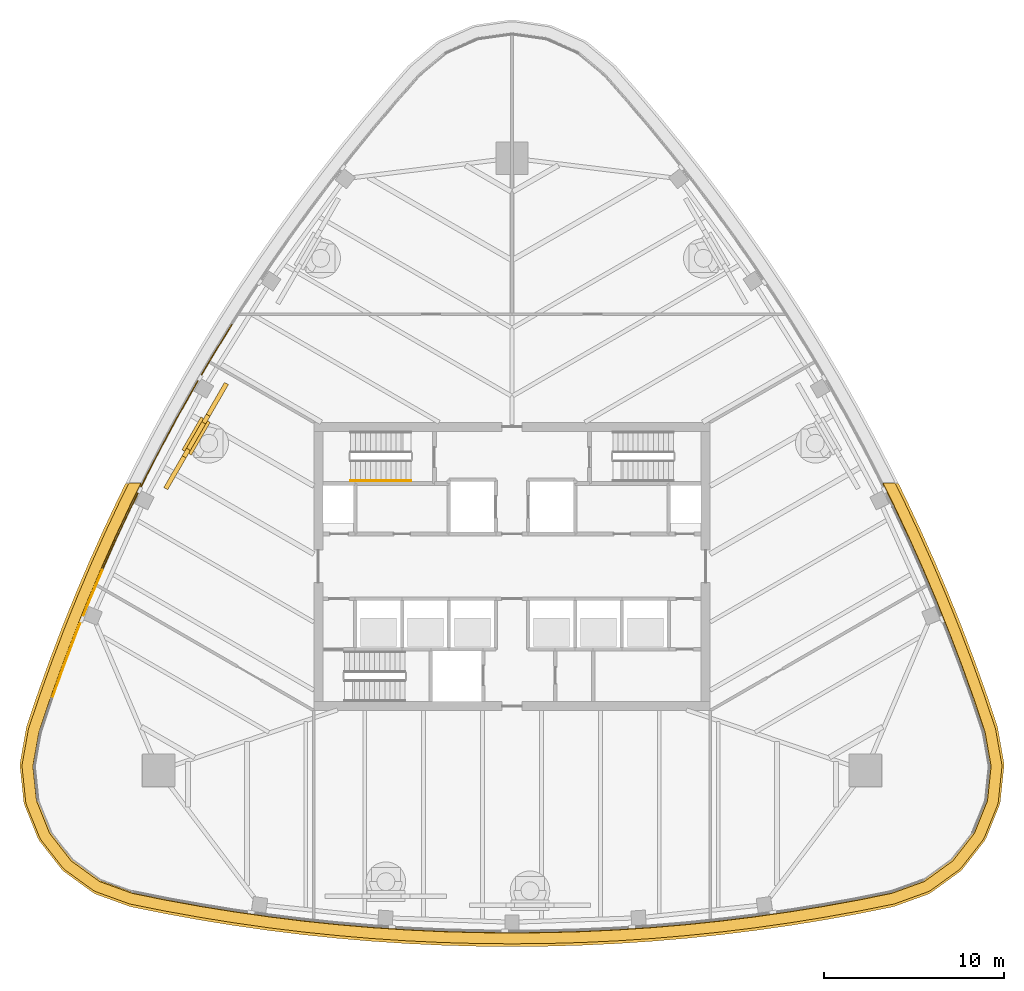
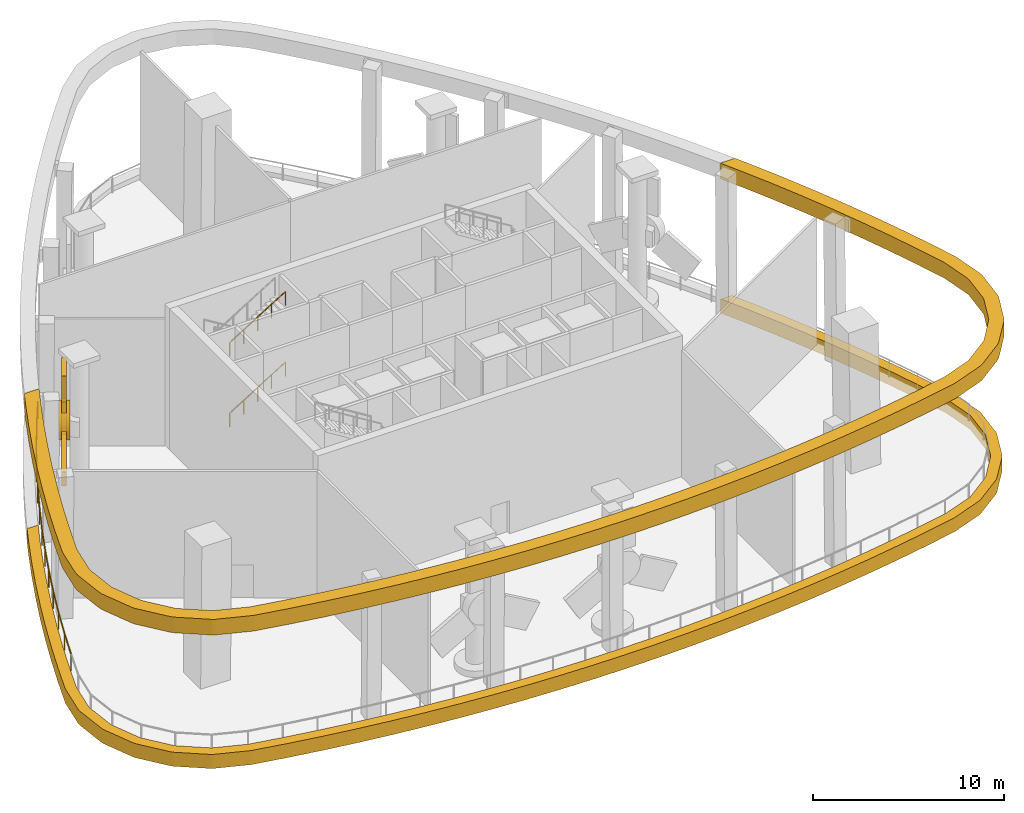
# One storey, part 8 of 12: 6 coverings, 5 railings.
"""IFC4 building model written with IfcOpenShell, lengths in metres."""

from ifc_helpers import new_model, si_unit, direction, frame, origin, origin_2d, place, context, subcontext, project, spatial, polyline, rectangle, circle, outline, extrude, material, layer, layer_set, material_profile, profile_set, type_object, element, save


model = new_model("IFC4")

# Units and contexts
model_context = context("Model", 3, precision=1e-05, world=origin(), true_north=direction((0.0, 1.0)))
body_context = subcontext(model_context, "Body", "Model", "MODEL_VIEW")
ifc_project = project(units=[si_unit("LENGTHUNIT", "METRE"), si_unit("AREAUNIT", "SQUARE_METRE"), si_unit("VOLUMEUNIT", "CUBIC_METRE"), si_unit("PLANEANGLEUNIT", "RADIAN"), si_unit("MASSUNIT", "GRAM", prefix="KILO")], contexts=[model_context])

# Site, building, storey
site_placement = place(None, origin())
site = spatial("IfcSite", under=ifc_project, at=site_placement, CompositionType="ELEMENT")
building_placement = place(site_placement, origin())
building = spatial("IfcBuilding", under=site, at=building_placement, Name="Sierra Prisma Convention Tower", CompositionType="ELEMENT")
storey_placement = place(building_placement, frame((0.0, 0.0, 330.39990234375)))
storey = spatial("IfcBuildingStorey", under=building, at=storey_placement, Name="L75", CompositionType="ELEMENT", Elevation=330.39990234375)

# Railings
ifc_material_1 = material(Name="Stainless steel", Category="steel")
railing_type_1 = type_object("IfcRailingType", Name="Exit stair handrail", PredefinedType="HANDRAIL", material=ifc_material_1)
for number, where, name in (
    (1, (-8.9599609375, 4.75, 2.423095703125), "L75 S3 stair handrail 2"),
    (2, (-8.9599609375, 4.75, 6.923095703125), "L75 S3 stair handrail 4"),
):
    element("IfcRailing", number, at=place(storey_placement, frame(where)), inside=storey, type_object=railing_type_1, Name=name, PredefinedType="HANDRAIL", context=body_context, shape_type="SweptSolid", body=[
        extrude(circle(Radius=0.02392578125, at=origin_2d()), frame((0.0, 0.0, 0.8759765625), z_axis=(0.850606129759, 0.0, 0.525803396734), x_axis=(0.0, 1.0, 0.0)), (0.0, 0.0, 1.0), 3.949951171875),
        extrude(circle(Radius=0.02099609375, at=origin_2d()), origin(), (0.0, 0.0, 1.0), 0.851806640625),
        extrude(circle(Radius=0.02099609375, at=origin_2d()), frame((0.83984375, 0.0, 0.519287109375)), (0.0, 0.0, 1.0), 0.851806640625),
        extrude(circle(Radius=0.02099609375, at=origin_2d()), frame((1.679931640625, 0.0, 1.03857421875)), (0.0, 0.0, 1.0), 0.851806640625),
        extrude(circle(Radius=0.02099609375, at=origin_2d()), frame((2.52001953125, 0.0, 1.5576171875)), (0.0, 0.0, 1.0), 0.851806640625),
        extrude(circle(Radius=0.02099609375, at=origin_2d()), frame((3.35986328125, 0.0, 2.076904296875)), (0.0, 0.0, 1.0), 0.851806640625),
    ])
ifc_material_2 = material(Name="Stainless steel 316 and laminated glass", Category="steel")
railing_type_2 = type_object("IfcRailingType", Name="Open storey guard", PredefinedType="BALUSTRADE", material=ifc_material_2)
railing_1_placement = place(storey_placement, frame((-25.53955078125, -7.369140625, 0.0)))
element("IfcRailing", 3, at=railing_1_placement, inside=storey, type_object=railing_type_2, Name="Perimeter guard L75", PredefinedType="BALUSTRADE", context=body_context, shape_type="SweptSolid", body=[
    extrude(circle(Radius=0.02490234375, at=origin_2d()), frame((0.0, 0.0, 1.0751953125), z_axis=(0.337588414886, 0.941293823487, 0.0), x_axis=(-0.941293823487, 0.337588414886, 0.0)), (0.0, 0.0, 1.0), 1.926513671875),
    extrude(circle(Radius=0.02490234375, at=origin_2d()), frame((0.650390625, 1.8134765625, 1.0751953125), z_axis=(0.355231049555, 0.934778530686, 0.0), x_axis=(-0.934778530686, 0.355231049555, 0.0)), (0.0, 0.0, 1.0), 1.926513671875),
    extrude(circle(Radius=0.02490234375, at=origin_2d()), frame((1.334716796875, 3.6142578125, 1.0751953125), z_axis=(0.372832299933, 0.927898742389, 0.0), x_axis=(-0.927898742389, 0.372832299933, 0.0)), (0.0, 0.0, 1.0), 1.926513671875),
    extrude(circle(Radius=0.02490234375, at=origin_2d()), frame((2.052978515625, 5.40185546875, 1.0751953125), z_axis=(0.390276484242, 0.920697706008, 0.0), x_axis=(-0.920697706008, 0.390276484242, 0.0)), (0.0, 0.0, 1.0), 1.9267578125),
    extrude(circle(Radius=0.02001953125, at=origin_2d()), origin(), (0.0, 0.0, 1.0), 1.050048828125),
    extrude(circle(Radius=0.02001953125, at=origin_2d()), frame((0.650390625, 1.8134765625, 0.0)), (0.0, 0.0, 1.0), 1.050048828125),
    extrude(circle(Radius=0.02001953125, at=origin_2d()), frame((1.334716796875, 3.6142578125, 0.0)), (0.0, 0.0, 1.0), 1.050048828125),
    extrude(circle(Radius=0.02001953125, at=origin_2d()), frame((2.052978515625, 5.40185546875, 0.0)), (0.0, 0.0, 1.0), 1.050048828125),
    extrude(circle(Radius=0.02001953125, at=origin_2d()), frame((2.804931640625, 7.17578125, 0.0)), (0.0, 0.0, 1.0), 1.050048828125),
])
railing_2_placement = place(storey_placement, frame((-22.734619140625, -0.193359375, 0.0)))
element("IfcRailing", 4, at=railing_2_placement, inside=storey, type_object=railing_type_2, Name="Perimeter guard L75", PredefinedType="BALUSTRADE", context=body_context, shape_type="SweptSolid", body=[
    extrude(circle(Radius=0.02490234375, at=origin_2d()), frame((0.0, 0.0, 1.0751953125), z_axis=(0.407654613972, 0.913136197786, 0.0), x_axis=(-0.913136197786, 0.407654613972, 0.0)), (0.0, 0.0, 1.0), 1.926513671875),
    extrude(circle(Radius=0.02490234375, at=origin_2d()), frame((0.785400390625, 1.75927734375, 1.0751953125), z_axis=(0.424667635312, 0.905349324581, 0.0), x_axis=(-0.905349324581, 0.424667635312, 0.0)), (0.0, 0.0, 1.0), 1.926513671875),
    extrude(circle(Radius=0.02490234375, at=origin_2d()), frame((1.603515625, 3.50341796875, 1.0751953125), z_axis=(0.441781321544, 0.897122769711, 0.0), x_axis=(-0.897122769711, 0.441781321544, 0.0)), (0.0, 0.0, 1.0), 1.926513671875),
    extrude(circle(Radius=0.02490234375, at=origin_2d()), frame((2.45458984375, 5.231689453125, 1.0751953125), z_axis=(0.458633235419, 0.888625655363, 0.0), x_axis=(-0.888625655363, 0.458633235419, 0.0)), (0.0, 0.0, 1.0), 1.926513671875),
    extrude(circle(Radius=0.02001953125, at=origin_2d()), origin(), (0.0, 0.0, 1.0), 1.050048828125),
    extrude(circle(Radius=0.02001953125, at=origin_2d()), frame((0.785400390625, 1.75927734375, 0.0)), (0.0, 0.0, 1.0), 1.050048828125),
    extrude(circle(Radius=0.02001953125, at=origin_2d()), frame((1.603515625, 3.50341796875, 0.0)), (0.0, 0.0, 1.0), 1.050048828125),
    extrude(circle(Radius=0.02001953125, at=origin_2d()), frame((2.45458984375, 5.231689453125, 0.0)), (0.0, 0.0, 1.0), 1.050048828125),
    extrude(circle(Radius=0.02001953125, at=origin_2d()), frame((3.338134765625, 6.943603515625, 0.0)), (0.0, 0.0, 1.0), 1.050048828125),
])
railing_3_placement = place(storey_placement, frame((-19.396484375, 6.750244140625, 0.0)))
element("IfcRailing", 5, at=railing_3_placement, inside=storey, type_object=railing_type_2, Name="Perimeter guard L75", PredefinedType="BALUSTRADE", context=body_context, shape_type="SweptSolid", body=[
    extrude(circle(Radius=0.02490234375, at=origin_2d()), frame((0.0, 0.0, 1.0751953125), z_axis=(0.475323541558, 0.879811076789, 0.0), x_axis=(-0.879811076789, 0.475323541558, 0.0)), (0.0, 0.0, 1.0), 1.926513671875),
    extrude(circle(Radius=0.02490234375, at=origin_2d()), frame((0.915771484375, 1.695068359375, 1.0751953125), z_axis=(0.491806697799, 0.870704411382, 0.0), x_axis=(-0.870704411382, 0.491806697799, 0.0)), (0.0, 0.0, 1.0), 1.926513671875),
    extrude(circle(Radius=0.02490234375, at=origin_2d()), frame((1.86328125, 3.37255859375, 1.0751953125), z_axis=(0.508033235774, 0.861337466589, 0.0), x_axis=(-0.861337466589, 0.508033235774, 0.0)), (0.0, 0.0, 1.0), 1.926513671875),
    extrude(circle(Radius=0.02490234375, at=origin_2d()), frame((2.842041015625, 5.031982421875, 1.0751953125), z_axis=(0.524394358105, 0.851475517668, 0.0), x_axis=(-0.851475517668, 0.524394358105, 0.0)), (0.0, 0.0, 1.0), 1.926513671875),
    extrude(circle(Radius=0.02001953125, at=origin_2d()), origin(), (0.0, 0.0, 1.0), 1.050048828125),
    extrude(circle(Radius=0.02001953125, at=origin_2d()), frame((0.915771484375, 1.695068359375, 0.0)), (0.0, 0.0, 1.0), 1.050048828125),
    extrude(circle(Radius=0.02001953125, at=origin_2d()), frame((1.86328125, 3.37255859375, 0.0)), (0.0, 0.0, 1.0), 1.050048828125),
    extrude(circle(Radius=0.02001953125, at=origin_2d()), frame((2.842041015625, 5.031982421875, 0.0)), (0.0, 0.0, 1.0), 1.050048828125),
    extrude(circle(Radius=0.02001953125, at=origin_2d()), frame((3.852294921875, 6.67236328125, 0.0)), (0.0, 0.0, 1.0), 1.050048828125),
])

# Coverings
ifc_material_3 = material(Name="Aluminium composite bronze anodised", Category="aluminium")
ifc_material_profile_1 = material_profile(ifc_material_3, rectangle(XDim=0.25, YDim=1.699951171875, at=origin_2d()), Name="ROTOR BLADE 250x1700")
ifc_profile_set_1 = profile_set([ifc_material_profile_1], Name="Aluminium composite bronze anodised")
covering_type_1 = type_object("IfcCoveringType", Name="Rotor blade", PredefinedType="CLADDING", material=ifc_profile_set_1)
covering_1_placement = place(storey_placement, frame((-17.53076171875, 7.235107421875, 5.400146484375), z_axis=(0.0, 0.0, 1.0), x_axis=(-0.866025403784, 0.5, 0.0)))
element("IfcCovering", 6, at=covering_1_placement, inside=storey, type_object=covering_type_1, Name="Rotor blade 3.1", PredefinedType="CLADDING", context=body_context, shape_type="SweptSolid", body=[
    extrude(rectangle(XDim=0.25, YDim=1.699951171875, at=origin_2d()), origin(), (0.0, 0.0, 1.0), 2.349853515625),
])
for number, where, z_axis, x_axis, name in (
    (7, (-17.076171875, 8.0224609375, 3.8251953125), (0.433014354779, 0.749983355842, -0.500023533961), (-0.866019772443, 0.500009753642, 0.0), "Rotor blade 3.2"),
    (8, (-17.985595703125, 6.447509765625, 3.8251953125), (-0.433014354779, -0.749983355842, -0.500023533961), (0.866019772443, -0.500009753642, 0.0), "Rotor blade 3.3"),
):
    element("IfcCovering", number, at=place(storey_placement, frame(where, z_axis=z_axis, x_axis=x_axis)), inside=storey, type_object=covering_type_1, Name=name, PredefinedType="CLADDING", context=body_context, shape_type="SweptSolid", body=[
        extrude(rectangle(XDim=0.25, YDim=1.699951171875, at=origin_2d()), origin(), (0.0, 0.0, 1.0), 2.35009765625),
    ])
ifc_material_4 = material(Name="Aluminium composite bronze anodised", Category="aluminium")
ifc_material_profile_2 = material_profile(ifc_material_4, circle(Radius=1.050048828125, at=origin_2d()), Name="ROTOR HUB 2100")
ifc_profile_set_2 = profile_set([ifc_material_profile_2], Name="Aluminium composite bronze anodised")
covering_type_2 = type_object("IfcCoveringType", Name="Rotor hub", PredefinedType="CLADDING", material=ifc_profile_set_2)
covering_2_placement = place(storey_placement, frame((-17.27099609375, 7.0849609375, 4.35009765625), z_axis=(-0.865955154139, 0.50012165622, 0.0), x_axis=(-0.50012165622, -0.865955154139, 0.0)))
element("IfcCovering", 9, at=covering_2_placement, inside=storey, type_object=covering_type_2, Name="Rotor hub 3", PredefinedType="CLADDING", context=body_context, shape_type="SweptSolid", body=[
    extrude(circle(Radius=1.050048828125, at=origin_2d()), origin(), (0.0, 0.0, 1.0), 0.599853515625),
])
ifc_material_5 = material(Name="Aluminium composite bronze anodised", Category="aluminium")
ifc_layer_1 = layer(ifc_material_5, 0.800048828125)
ifc_layer_set_1 = layer_set([ifc_layer_1], Name="Slot header band")
covering_type_3 = type_object("IfcCoveringType", Name="Slot header band", PredefinedType="CLADDING", material=ifc_layer_set_1)
covering_3_placement = place(storey_placement, frame((0.0, 0.0, 8.0)))
element("IfcCovering", 10, at=covering_3_placement, inside=storey, type_object=covering_type_3, Name="Slot header band 1", PredefinedType="CLADDING", context=body_context, shape_type="SweptSolid", body=[
    extrude(outline(polyline([(-24.24609375, -1.580322265625), (-23.497314453125, 0.1865234375), (-23.4912109375, 0.200439453125), (-22.709228515625, 1.95263671875), (-22.702880859375, 1.966552734375), (-21.887939453125, 3.70361328125), (-21.88134765625, 3.71728515625), (-21.44580078125, 4.602294921875), (-20.553955078125, 4.602294921875), (-21.163818359375, 3.364013671875), (-21.978759765625, 1.626708984375), (-22.7607421875, -0.12548828125), (-23.509521484375, -1.892333984375), (-24.224853515625, -3.673095703125), (-24.906494140625, -5.466796875), (-25.553955078125, -7.273193359375), (-26.167236328125, -9.091552734375), (-26.50927734375, -11.013916015625), (-26.306884765625, -12.955810546875), (-25.575927734375, -14.766357421875), (-24.373291015625, -16.304443359375), (-22.792724609375, -17.45068359375), (-20.95703125, -18.11572265625), (-19.07568359375, -18.493896484375), (-17.187744140625, -18.836181640625), (-15.29345703125, -19.142822265625), (-13.393798828125, -19.41357421875), (-11.4892578125, -19.6484375), (-9.58056640625, -19.847412109375), (-7.668701171875, -20.01025390625), (-5.75390625, -20.136962890625), (-3.8369140625, -20.2275390625), (-1.918701171875, -20.281982421875), (0.0, -20.300048828125), (1.918701171875, -20.281982421875), (3.8369140625, -20.2275390625), (5.75390625, -20.136962890625), (7.668701171875, -20.01025390625), (9.58056640625, -19.847412109375), (11.4892578125, -19.6484375), (13.393798828125, -19.41357421875), (15.29345703125, -19.142822265625), (17.187744140625, -18.836181640625), (19.07568359375, -18.493896484375), (20.95703125, -18.11572265625), (22.792724609375, -17.45068359375), (24.373291015625, -16.304443359375), (25.575927734375, -14.766357421875), (26.306884765625, -12.955810546875), (26.50927734375, -11.013916015625), (26.167236328125, -9.091552734375), (25.553955078125, -7.273193359375), (24.906494140625, -5.466796875), (24.224853515625, -3.673095703125), (23.509521484375, -1.892333984375), (22.7607421875, -0.12548828125), (21.978759765625, 1.626708984375), (21.163818359375, 3.364013671875), (20.553955078125, 4.602294921875), (21.44580078125, 4.602294921875), (21.88134765625, 3.71728515625), (21.887939453125, 3.70361328125), (22.702880859375, 1.966552734375), (22.709228515625, 1.95263671875), (23.4912109375, 0.200439453125), (23.497314453125, 0.1865234375), (24.24609375, -1.580322265625), (24.251708984375, -1.59423828125), (24.96728515625, -3.375), (24.97265625, -3.388916015625), (25.654296875, -5.1826171875), (25.659423828125, -5.197021484375), (26.306884765625, -7.00341796875), (26.31201171875, -7.017578125), (26.92529296875, -8.835693359375), (26.955078125, -8.951416015625), (27.296875, -10.873779296875), (27.304931640625, -11.0966796875), (27.1025390625, -13.038818359375), (27.048583984375, -13.255126953125), (26.317626953125, -15.065673828125), (26.206298828125, -15.259033203125), (25.003662109375, -16.797119140625), (24.843017578125, -16.9521484375), (23.262451171875, -18.098388671875), (23.065185546875, -18.202880859375), (21.229736328125, -18.867919921875), (21.11474609375, -18.900146484375), (19.2333984375, -19.278076171875), (19.218505859375, -19.281005859375), (17.330322265625, -19.623291015625), (17.3154296875, -19.625732421875), (15.421142578125, -19.9326171875), (15.40625, -19.934814453125), (13.506591796875, -20.20556640625), (13.49169921875, -20.20751953125), (11.587158203125, -20.4423828125), (11.572021484375, -20.444091796875), (9.66357421875, -20.64306640625), (9.6484375, -20.64453125), (7.736328125, -20.807373046875), (7.721435546875, -20.80859375), (5.806640625, -20.935302734375), (5.79150390625, -20.93603515625), (3.874755859375, -21.026611328125), (3.859619140625, -21.027099609375), (1.94140625, -21.08154296875), (1.926513671875, -21.081787109375), (0.007568359375, -21.10009765625), (-0.007568359375, -21.10009765625), (-1.926513671875, -21.081787109375), (-1.94140625, -21.08154296875), (-3.859619140625, -21.027099609375), (-3.874755859375, -21.026611328125), (-5.79150390625, -20.93603515625), (-5.806640625, -20.935302734375), (-7.721435546875, -20.80859375), (-7.736328125, -20.807373046875), (-9.6484375, -20.64453125), (-9.66357421875, -20.64306640625), (-11.572021484375, -20.444091796875), (-11.587158203125, -20.4423828125), (-13.49169921875, -20.20751953125), (-13.506591796875, -20.20556640625), (-15.40625, -19.934814453125), (-15.421142578125, -19.9326171875), (-17.3154296875, -19.625732421875), (-17.330322265625, -19.623291015625), (-19.218505859375, -19.281005859375), (-19.2333984375, -19.278076171875), (-21.11474609375, -18.900146484375), (-21.229736328125, -18.867919921875), (-23.065185546875, -18.202880859375), (-23.262451171875, -18.098388671875), (-24.843017578125, -16.9521484375), (-25.003662109375, -16.797119140625), (-26.206298828125, -15.259033203125), (-26.317626953125, -15.065673828125), (-27.048583984375, -13.255126953125), (-27.1025390625, -13.038818359375), (-27.304931640625, -11.0966796875), (-27.296875, -10.873779296875), (-26.955078125, -8.951416015625), (-26.92529296875, -8.835693359375), (-26.31201171875, -7.017578125), (-26.306884765625, -7.00341796875), (-25.659423828125, -5.197021484375), (-25.654296875, -5.1826171875), (-24.97265625, -3.388916015625), (-24.96728515625, -3.375), (-24.251708984375, -1.59423828125), (-24.24609375, -1.580322265625)])), origin(), (0.0, 0.0, 1.0), 1.0),
])
ifc_material_6 = material(Name="Aluminium composite bronze anodised", Category="aluminium")
ifc_layer_2 = layer(ifc_material_6, 0.60009765625)
ifc_layer_set_2 = layer_set([ifc_layer_2], Name="Slot sill band")
covering_type_4 = type_object("IfcCoveringType", Name="Slot sill band", PredefinedType="CLADDING", material=ifc_layer_set_2)
covering_4_placement = place(storey_placement, frame((0.0, 0.0, -0.599853515625)))
element("IfcCovering", 11, at=covering_4_placement, inside=storey, type_object=covering_type_4, Name="Slot sill band 1", PredefinedType="CLADDING", context=body_context, shape_type="SweptSolid", body=[
    extrude(outline(polyline([(-24.13134765625, -1.69482421875), (-23.378662109375, 0.08056640625), (-23.374267578125, 0.091064453125), (-22.588134765625, 1.85205078125), (-22.58349609375, 1.8623046875), (-21.764404296875, 3.608154296875), (-21.759521484375, 3.618408203125), (-21.26123046875, 4.630126953125), (-20.592529296875, 4.630126953125), (-21.22119140625, 3.353271484375), (-22.040283203125, 1.607421875), (-22.826416015625, -0.153564453125), (-23.578857421875, -1.928955078125), (-24.2978515625, -3.718505859375), (-24.98291015625, -5.52099609375), (-25.634033203125, -7.336181640625), (-26.25048828125, -9.16357421875), (-26.59130859375, -11.078125), (-26.389892578125, -13.012451171875), (-25.661865234375, -14.81591796875), (-24.464111328125, -16.347900390625), (-22.8896484375, -17.489501953125), (-21.06103515625, -18.15185546875), (-19.17041015625, -18.531494140625), (-17.27294921875, -18.87548828125), (-15.369140625, -19.183349609375), (-13.4599609375, -19.455322265625), (-11.546142578125, -19.69140625), (-9.6279296875, -19.89111328125), (-7.70654296875, -20.0546875), (-5.7822265625, -20.181884765625), (-3.85595703125, -20.27294921875), (-1.928466796875, -20.327392578125), (0.0, -20.345703125), (1.928466796875, -20.327392578125), (3.85595703125, -20.27294921875), (5.7822265625, -20.181884765625), (7.70654296875, -20.0546875), (9.6279296875, -19.89111328125), (11.546142578125, -19.69140625), (13.4599609375, -19.455322265625), (15.369140625, -19.183349609375), (17.27294921875, -18.87548828125), (19.17041015625, -18.531494140625), (21.06103515625, -18.15185546875), (22.8896484375, -17.489501953125), (24.464111328125, -16.347900390625), (25.661865234375, -14.81591796875), (26.389892578125, -13.012451171875), (26.59130859375, -11.078125), (26.25048828125, -9.16357421875), (25.634033203125, -7.336181640625), (24.98291015625, -5.52099609375), (24.2978515625, -3.718505859375), (23.578857421875, -1.928955078125), (22.826416015625, -0.153564453125), (22.040283203125, 1.607421875), (21.22119140625, 3.353271484375), (20.592529296875, 4.630126953125), (21.26123046875, 4.630126953125), (21.759521484375, 3.618408203125), (21.764404296875, 3.608154296875), (22.58349609375, 1.8623046875), (22.588134765625, 1.85205078125), (23.374267578125, 0.091064453125), (23.378662109375, 0.08056640625), (24.13134765625, -1.69482421875), (24.135498046875, -1.705322265625), (24.8544921875, -3.49462890625), (24.85888671875, -3.50537109375), (25.5439453125, -5.307861328125), (25.5478515625, -5.318603515625), (26.19873046875, -7.1337890625), (26.202392578125, -7.14453125), (26.819091796875, -8.9716796875), (26.84130859375, -9.058349609375), (27.181884765625, -10.97314453125), (27.18798828125, -11.140380859375), (26.986572265625, -13.07470703125), (26.9462890625, -13.237060546875), (26.21826171875, -15.040283203125), (26.134521484375, -15.185302734375), (24.936767578125, -16.717529296875), (24.816162109375, -16.833740234375), (23.24169921875, -17.975341796875), (23.093994140625, -18.0537109375), (21.265380859375, -18.716064453125), (21.17919921875, -18.740234375), (19.28857421875, -19.119873046875), (19.27734375, -19.121826171875), (17.3798828125, -19.4658203125), (17.36865234375, -19.4677734375), (15.465087890625, -19.775634765625), (15.453857421875, -19.77734375), (13.544677734375, -20.04931640625), (13.533447265625, -20.05078125), (11.619384765625, -20.286865234375), (11.6083984375, -20.2880859375), (9.690185546875, -20.48779296875), (9.678955078125, -20.489013671875), (7.75732421875, -20.652587890625), (7.74609375, -20.6533203125), (5.822021484375, -20.78076171875), (5.810546875, -20.78125), (3.88427734375, -20.872314453125), (3.873046875, -20.872802734375), (1.9453125, -20.92724609375), (1.93408203125, -20.927490234375), (0.005615234375, -20.94580078125), (-0.005615234375, -20.94580078125), (-1.93408203125, -20.927490234375), (-1.9453125, -20.92724609375), (-3.873046875, -20.872802734375), (-3.88427734375, -20.872314453125), (-5.810546875, -20.78125), (-5.822021484375, -20.78076171875), (-7.74609375, -20.6533203125), (-7.75732421875, -20.652587890625), (-9.678955078125, -20.489013671875), (-9.690185546875, -20.48779296875), (-11.6083984375, -20.2880859375), (-11.619384765625, -20.286865234375), (-13.533447265625, -20.05078125), (-13.544677734375, -20.04931640625), (-15.453857421875, -19.77734375), (-15.465087890625, -19.775634765625), (-17.36865234375, -19.4677734375), (-17.3798828125, -19.4658203125), (-19.27734375, -19.121826171875), (-19.28857421875, -19.119873046875), (-21.17919921875, -18.740234375), (-21.265380859375, -18.716064453125), (-23.093994140625, -18.0537109375), (-23.24169921875, -17.975341796875), (-24.816162109375, -16.833740234375), (-24.936767578125, -16.717529296875), (-26.134521484375, -15.185302734375), (-26.21826171875, -15.040283203125), (-26.9462890625, -13.237060546875), (-26.986572265625, -13.07470703125), (-27.18798828125, -11.140380859375), (-27.181884765625, -10.97314453125), (-26.84130859375, -9.058349609375), (-26.819091796875, -8.9716796875), (-26.202392578125, -7.14453125), (-26.19873046875, -7.1337890625), (-25.5478515625, -5.318603515625), (-25.5439453125, -5.307861328125), (-24.85888671875, -3.50537109375), (-24.8544921875, -3.49462890625), (-24.135498046875, -1.705322265625), (-24.13134765625, -1.69482421875)])), origin(), (0.0, 0.0, 1.0), 0.89990234375),
])

save(model, "model.ifc")
